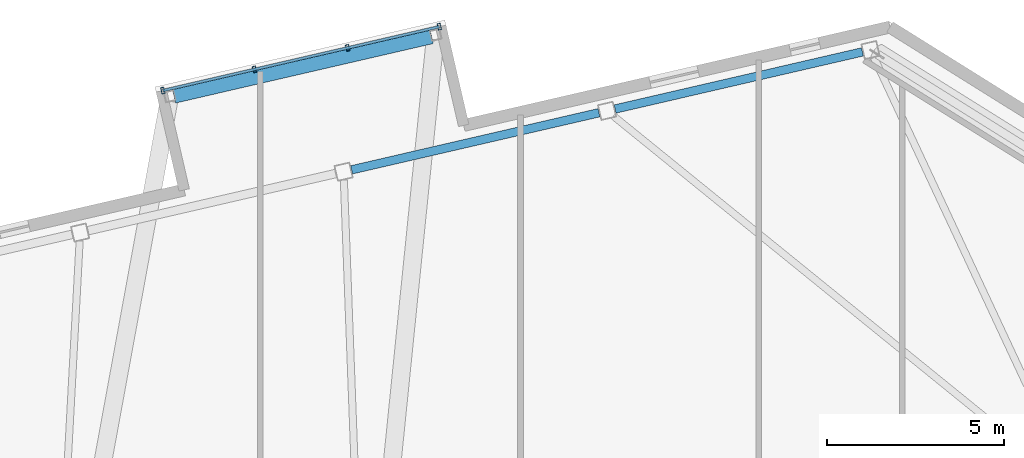
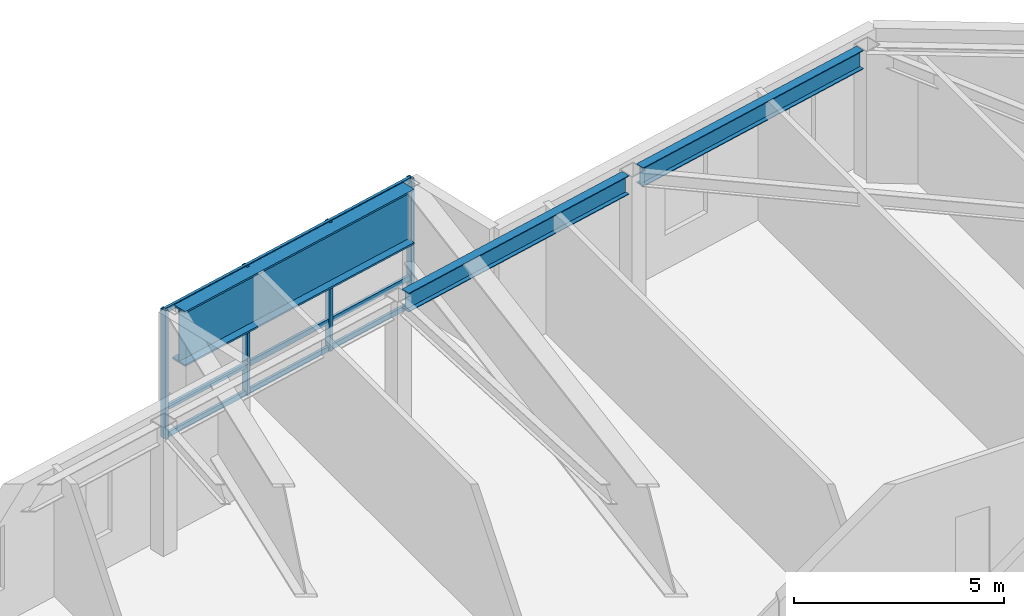
# One storey, part 15 of 24: 7 members, 3 beams, 1 element without a shape of its own.
"""IFC4 building model written with IfcOpenShell, lengths in metres."""

from ifc_helpers import new_model, si_unit, direction, frame, origin, origin_2d, place, context, subcontext, project, spatial, hollow_rectangle, i_section, extrude, material, layer, layer_set, material_profile, profile_set, type_object, element, aggregate, save


model = new_model("IFC4")

# Units and contexts
model_context = context("Model", 3, precision=1e-05, world=origin(), true_north=direction((0.0, 1.0)))
body_context = subcontext(model_context, "Body", "Model", "MODEL_VIEW")
ifc_project = project(units=[si_unit("LENGTHUNIT", "METRE"), si_unit("AREAUNIT", "SQUARE_METRE"), si_unit("VOLUMEUNIT", "CUBIC_METRE"), si_unit("PLANEANGLEUNIT", "RADIAN"), si_unit("MASSUNIT", "GRAM", prefix="KILO")], contexts=[model_context])

# Site, building, storey
site_placement = place(None, origin())
site = spatial("IfcSite", under=ifc_project, at=site_placement, CompositionType="ELEMENT")
building_placement = place(site_placement, origin())
building = spatial("IfcBuilding", under=site, at=building_placement, Name="Tavrogorsk Clinical Tower", CompositionType="ELEMENT")
storey_placement = place(building_placement, frame((0.0, 0.0, 309.0)))
storey = spatial("IfcBuildingStorey", under=building, at=storey_placement, Name="L72", CompositionType="ELEMENT", Elevation=309.0)

# Curtain wall, members
ifc_material_1 = material(Name="Anodised aluminium and triple IGU glazing", Category="aluminium")
ifc_layer = layer(ifc_material_1, 0.179931640625)
ifc_layer_set = layer_set([ifc_layer], Name="Anodised aluminium and triple IGU glazing")
curtain_wall_type = type_object("IfcCurtainWallType", Name="CW4_DayroomBox", PredefinedType="NOTDEFINED", material=ifc_layer_set)
curtain_wall_placement = place(storey_placement, origin())
curtain_wall = element("IfcCurtainWall", 1, at=curtain_wall_placement, inside=storey, type_object=curtain_wall_type, Name="L72 Curtain Wall CW-DRB-10-L72", PredefinedType="NOTDEFINED")
ifc_material_2 = material(Name="Anodised aluminium alloy AW-6060", Category="aluminium")
ifc_material_profile_1 = material_profile(ifc_material_2, hollow_rectangle(XDim=0.090087890625, YDim=0.179931640625, WallThickness=0.00634765625, at=origin_2d()), Name="RHS-180x90x6.3")
ifc_profile_set_1 = profile_set([ifc_material_profile_1], Name="Anodised aluminium alloy AW-6060")
member_type_1 = type_object("IfcMemberType", Name="CwMullion_180x90", PredefinedType="MULLION", material=ifc_profile_set_1)
member_1_placement = place(storey_placement, frame((-1.298095703125, 24.5224609375, 0.0), z_axis=(0.0, 0.0, 1.0), x_axis=(0.974370055311, 0.224951095379, 0.0)))
member_1 = element("IfcMember", 2, at=member_1_placement, type_object=member_type_1, Name="CW-DRB-10-L72 Mullion 1", PredefinedType="MULLION", context=body_context, shape_type="SweptSolid", body=[
    extrude(hollow_rectangle(XDim=0.090087890625, YDim=0.179931640625, WallThickness=0.00634765625, at=origin_2d()), origin(), (0.0, 0.0, 1.0), 3.739990234375),
])
member_2_placement = place(storey_placement, frame((1.288818359375, 25.119873046875, 0.0), z_axis=(0.0, 0.0, 1.0), x_axis=(0.974370055311, 0.224951095379, 0.0)))
member_2 = element("IfcMember", 3, at=member_2_placement, type_object=member_type_1, Name="CW-DRB-10-L72 Mullion 2", PredefinedType="MULLION", context=body_context, shape_type="SweptSolid", body=[
    extrude(hollow_rectangle(XDim=0.090087890625, YDim=0.179931640625, WallThickness=0.00634765625, at=origin_2d()), origin(), (0.0, 0.0, 1.0), 3.739990234375),
])
member_3_placement = place(storey_placement, frame((3.919677734375, 25.72705078125, 0.0), z_axis=(0.0, 0.0, 1.0), x_axis=(0.974370055311, 0.224951095379, 0.0)))
member_3 = element("IfcMember", 4, at=member_3_placement, type_object=member_type_1, Name="CW-DRB-10-L72 Mullion 3", PredefinedType="MULLION", context=body_context, shape_type="SweptSolid", body=[
    extrude(hollow_rectangle(XDim=0.090087890625, YDim=0.179931640625, WallThickness=0.00634765625, at=origin_2d()), origin(), (0.0, 0.0, 1.0), 3.739990234375),
])
member_4_placement = place(storey_placement, frame((6.506591796875, 26.324462890625, 0.0), z_axis=(0.0, 0.0, 1.0), x_axis=(0.974370055311, 0.224951095379, 0.0)))
member_4 = element("IfcMember", 5, at=member_4_placement, type_object=member_type_1, Name="CW-DRB-10-L72 Mullion 4", PredefinedType="MULLION", context=body_context, shape_type="SweptSolid", body=[
    extrude(hollow_rectangle(XDim=0.090087890625, YDim=0.179931640625, WallThickness=0.00634765625, at=origin_2d()), origin(), (0.0, 0.0, 1.0), 3.739990234375),
])
ifc_material_3 = material(Name="Anodised aluminium alloy AW-6060", Category="aluminium")
ifc_material_profile_2 = material_profile(ifc_material_3, hollow_rectangle(XDim=0.074951171875, YDim=0.14990234375, WallThickness=0.0048828125, at=origin_2d()), Name="RHS-150x75x5")
ifc_profile_set_2 = profile_set([ifc_material_profile_2], Name="Anodised aluminium alloy AW-6060")
member_type_2 = type_object("IfcMemberType", Name="CwTransom_150x75", PredefinedType="USERDEFINED", material=ifc_profile_set_2)
member_5_placement = place(storey_placement, frame((-1.298095703125, 24.5224609375, 0.050048828125), z_axis=(0.974366018385, 0.224968580509, 0.0), x_axis=(-0.224968580509, 0.974366018385, 0.0)))
member_5 = element("IfcMember", 6, at=member_5_placement, type_object=member_type_2, Name="CW-DRB-10-L72 Transom 1", ObjectType="TRANSOM", PredefinedType="USERDEFINED", context=body_context, shape_type="SweptSolid", body=[
    extrude(hollow_rectangle(XDim=0.074951171875, YDim=0.14990234375, WallThickness=0.0048828125, at=origin_2d()), origin(), (0.0, 0.0, 1.0), 8.010009765625),
])
member_6_placement = place(storey_placement, frame((-1.298095703125, 24.5224609375, 0.85009765625), z_axis=(0.974366018385, 0.224968580509, 0.0), x_axis=(-0.224968580509, 0.974366018385, 0.0)))
member_6 = element("IfcMember", 7, at=member_6_placement, type_object=member_type_2, Name="CW-DRB-10-L72 Transom 2", ObjectType="TRANSOM", PredefinedType="USERDEFINED", context=body_context, shape_type="SweptSolid", body=[
    extrude(hollow_rectangle(XDim=0.074951171875, YDim=0.14990234375, WallThickness=0.0048828125, at=origin_2d()), origin(), (0.0, 0.0, 1.0), 8.010009765625),
])
member_7_placement = place(storey_placement, frame((-1.298095703125, 24.5224609375, 3.68994140625), z_axis=(0.974366018385, 0.224968580509, 0.0), x_axis=(-0.224968580509, 0.974366018385, 0.0)))
member_7 = element("IfcMember", 8, at=member_7_placement, type_object=member_type_2, Name="CW-DRB-10-L72 Transom 3", ObjectType="TRANSOM", PredefinedType="USERDEFINED", context=body_context, shape_type="SweptSolid", body=[
    extrude(hollow_rectangle(XDim=0.074951171875, YDim=0.14990234375, WallThickness=0.0048828125, at=origin_2d()), origin(), (0.0, 0.0, 1.0), 8.010009765625),
])
aggregate(curtain_wall, [member_1, member_2, member_3, member_4, member_5, member_6, member_7])

# Beams
ifc_material_4 = material(Name="Structural steel S390", Category="steel")
ifc_material_profile_3 = material_profile(ifc_material_4, i_section(OverallWidth=0.239990234375, OverallDepth=0.550048828125, WebThickness=0.013916015625, FlangeThickness=0.02197265625, at=origin_2d()), Name="B-550x240x14x22")
ifc_profile_set_3 = profile_set([ifc_material_profile_3], Name="Structural steel S390")
beam_type_1 = type_object("IfcBeamType", Name="SpandrelBeam_B550", PredefinedType="SPANDREL", material=ifc_profile_set_3)
beam_1_placement = place(storey_placement, frame((18.45458984375, 25.61376953125, 3.465087890625), z_axis=(-0.974375120167, -0.224929155956, 0.0), x_axis=(0.224929155956, -0.974375120167, 0.0)))
element("IfcBeam", 9, at=beam_1_placement, inside=storey, type_object=beam_type_1, Name="L72 Perimeter Spandrel N1-N2", PredefinedType="SPANDREL", context=body_context, shape_type="SweptSolid", body=[
    extrude(i_section(OverallWidth=0.239990234375, OverallDepth=0.550048828125, WebThickness=0.013916015625, FlangeThickness=0.02197265625, at=origin_2d()), origin(), (0.0, 0.0, 1.0), 7.16796875),
])
beam_2_placement = place(storey_placement, frame((11.01611328125, 23.896484375, 3.465087890625), z_axis=(-0.974369378592, -0.224954026551, 0.0), x_axis=(0.224954026551, -0.974369378592, 0.0)))
element("IfcBeam", 10, at=beam_2_placement, inside=storey, type_object=beam_type_1, Name="L72 Perimeter Spandrel N2-N3", PredefinedType="SPANDREL", context=body_context, shape_type="SweptSolid", body=[
    extrude(i_section(OverallWidth=0.239990234375, OverallDepth=0.550048828125, WebThickness=0.013916015625, FlangeThickness=0.02197265625, at=origin_2d()), origin(), (0.0, 0.0, 1.0), 7.16845703125),
])
ifc_material_5 = material(Name="Structural steel S440", Category="steel")
ifc_material_profile_4 = material_profile(ifc_material_5, i_section(OverallWidth=0.449951171875, OverallDepth=1.60009765625, WebThickness=0.031982421875, FlangeThickness=0.050048828125, at=origin_2d()), Name="DK-1600x450x32x50")
ifc_profile_set_4 = profile_set([ifc_material_profile_4], Name="Structural steel S440")
beam_type_2 = type_object("IfcBeamType", Name="TransferGirder_DK1600", PredefinedType="USERDEFINED", material=ifc_profile_set_4)
beam_3_placement = place(storey_placement, frame((-0.985107421875, 24.389404296875, 2.93994140625), z_axis=(0.974367472721, 0.224962281513, 0.0), x_axis=(-0.224962281513, 0.974367472721, 0.0)))
element("IfcBeam", 11, at=beam_3_placement, inside=storey, type_object=beam_type_2, Name="L72 Day-Room Front Edge Beam DRB-10", ObjectType="GIRDER", PredefinedType="USERDEFINED", context=body_context, shape_type="SweptSolid", body=[
    extrude(i_section(OverallWidth=0.449951171875, OverallDepth=1.60009765625, WebThickness=0.031982421875, FlangeThickness=0.050048828125, at=origin_2d()), origin(), (0.0, 0.0, 1.0), 7.4599609375),
])

save(model, "model.ifc")
